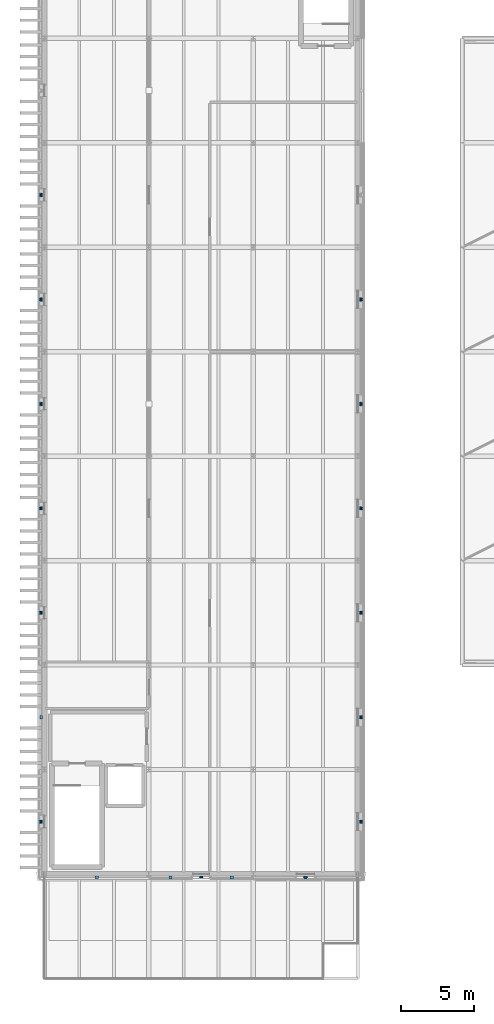
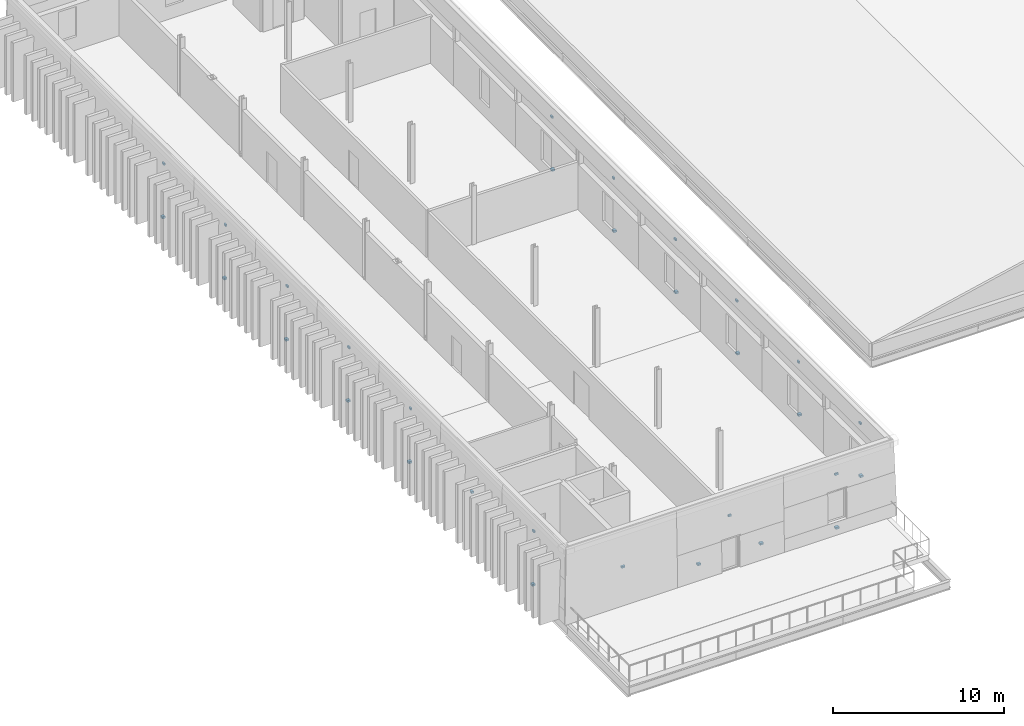
# One storey, part 35 of 44: 31 discrete accessories.
"""IFC4 building model written with IfcOpenShell, lengths in metres."""

from ifc_helpers import new_model, si_unit, direction, frame, origin, origin_2d, place, context, subcontext, project, spatial, rectangle, extrude, material, layer, layer_set, type_object, element, save


model = new_model("IFC4")

# Units and contexts
model_context = context("Model", 3, precision=1e-05, world=origin(), true_north=direction((0.0, 1.0)))
body_context = subcontext(model_context, "Body", "Model", "MODEL_VIEW")
ifc_project = project(units=[si_unit("LENGTHUNIT", "METRE"), si_unit("AREAUNIT", "SQUARE_METRE"), si_unit("VOLUMEUNIT", "CUBIC_METRE"), si_unit("PLANEANGLEUNIT", "RADIAN"), si_unit("MASSUNIT", "GRAM", prefix="KILO")], contexts=[model_context])

# Site, building, storey
site_placement = place(None, origin())
site = spatial("IfcSite", under=ifc_project, at=site_placement, CompositionType="ELEMENT")
building_placement = place(site_placement, origin())
building = spatial("IfcBuilding", under=site, at=building_placement, Name="Narikvali Park Central Library", CompositionType="ELEMENT")
storey_placement = place(building_placement, frame((0.0, 0.0, 22.800048828125)))
storey = spatial("IfcBuildingStorey", under=building, at=storey_placement, Name="L05", CompositionType="ELEMENT", Elevation=22.800048828125)

# Discrete accessories
ifc_material = material(Name="Brushed Stainless Steel S355", Category="steel")
ifc_layer = layer(ifc_material, 0.139892578125, Name="Brushed Stainless Steel S355")
ifc_layer_set = layer_set([ifc_layer], Name="Brushed Stainless Steel S355")
discrete_accessory_type = type_object("IfcDiscreteAccessoryType", Name="Cladding Stainless Tie-Back Corbel Bracket", PredefinedType="BRACKET", material=ifc_layer_set)
discrete_accessory_1_placement = place(storey_placement, frame((3.60009765625, 42.976806640625, 2.6298828125), z_axis=(0.0, 0.0, 1.0), x_axis=(1.0, 0.0, 0.0)))
element("IfcDiscreteAccessory", 1, at=discrete_accessory_1_placement, inside=storey, type_object=discrete_accessory_type, Name="Limestone Cladding Tie-Back Bracket V5-CLD-L05-S-B01-FULL", PredefinedType="BRACKET", context=body_context, shape_type="SweptSolid", body=[
    extrude(rectangle(XDim=0.219970703125, YDim=0.146484375, at=origin_2d()), origin(), (0.0, 0.0, 1.0), 0.139892578125),
])
for number, where, z_axis, x_axis, name in (
    (2, (8.695068359375, 42.954345703125, 1.0498046875), (0.0, 0.0, 1.0), (1.0, 0.0, 0.0), "Limestone Cladding Tie-Back Bracket V5-CLD-L05-S-B02-DL"),
    (3, (12.905029296875, 42.954345703125, 1.0498046875), (0.0, 0.0, 1.0), (1.0, 0.0, 0.0), "Limestone Cladding Tie-Back Bracket V5-CLD-L05-S-B02-DR"),
):
    element("IfcDiscreteAccessory", number, at=place(storey_placement, frame(where, z_axis=z_axis, x_axis=x_axis)), inside=storey, type_object=discrete_accessory_type, Name=name, PredefinedType="BRACKET", context=body_context, shape_type="SweptSolid", body=[
        extrude(rectangle(XDim=0.219970703125, YDim=0.19140625, at=origin_2d()), origin(), (0.0, 0.0, 1.0), 0.139892578125),
    ])
discrete_accessory_2_placement = place(storey_placement, frame((10.800048828125, 42.99267578125, 3.75), z_axis=(0.0, 0.0, 1.0), x_axis=(1.0, 0.0, 0.0)))
element("IfcDiscreteAccessory", 4, at=discrete_accessory_2_placement, inside=storey, type_object=discrete_accessory_type, Name="Limestone Cladding Tie-Back Bracket V5-CLD-L05-S-B02-DH", PredefinedType="BRACKET", context=body_context, shape_type="SweptSolid", body=[
    extrude(rectangle(XDim=0.219970703125, YDim=0.11474609375, at=origin_2d()), origin(), (0.0, 0.0, 1.0), 0.139892578125),
])
discrete_accessory_3_placement = place(storey_placement, frame((18.0, 42.9453125, 0.40478515625), z_axis=(0.0, 0.0, 1.0), x_axis=(1.0, 0.0, 0.0)))
element("IfcDiscreteAccessory", 5, at=discrete_accessory_3_placement, inside=storey, type_object=discrete_accessory_type, Name="Limestone Cladding Tie-Back Bracket V5-CLD-L05-S-B03-SP", PredefinedType="BRACKET", context=body_context, shape_type="SweptSolid", body=[
    extrude(rectangle(XDim=0.219970703125, YDim=0.209716796875, at=origin_2d()), origin(), (0.0, 0.0, 1.0), 0.139892578125),
])
discrete_accessory_4_placement = place(storey_placement, frame((18.0, 42.998779296875, 4.18017578125), z_axis=(0.0, 0.0, 1.0), x_axis=(1.0, 0.0, 0.0)))
element("IfcDiscreteAccessory", 6, at=discrete_accessory_4_placement, inside=storey, type_object=discrete_accessory_type, Name="Limestone Cladding Tie-Back Bracket V5-CLD-L05-S-B03-LN", PredefinedType="BRACKET", context=body_context, shape_type="SweptSolid", body=[
    extrude(rectangle(XDim=0.219970703125, YDim=0.1025390625, at=origin_2d()), origin(), (0.0, 0.0, 1.0), 0.139892578125),
])
discrete_accessory_5_placement = place(storey_placement, frame((21.85498046875, 46.800048828125, 0.40478515625), z_axis=(0.0, 0.0, 1.0), x_axis=(1.0, 0.0, 0.0)))
element("IfcDiscreteAccessory", 7, at=discrete_accessory_5_placement, inside=storey, type_object=discrete_accessory_type, Name="Limestone Cladding Tie-Back Bracket V5-CLD-L05-E-B01-SP", PredefinedType="BRACKET", context=body_context, shape_type="SweptSolid", body=[
    extrude(rectangle(XDim=0.209716796875, YDim=0.219970703125, at=origin_2d()), origin(), (0.0, 0.0, 1.0), 0.139892578125),
])
discrete_accessory_6_placement = place(storey_placement, frame((21.80126953125, 46.800048828125, 4.18017578125), z_axis=(0.0, 0.0, 1.0), x_axis=(1.0, 0.0, 0.0)))
element("IfcDiscreteAccessory", 8, at=discrete_accessory_6_placement, inside=storey, type_object=discrete_accessory_type, Name="Limestone Cladding Tie-Back Bracket V5-CLD-L05-E-B01-LN", PredefinedType="BRACKET", context=body_context, shape_type="SweptSolid", body=[
    extrude(rectangle(XDim=0.1025390625, YDim=0.219970703125, at=origin_2d()), origin(), (0.0, 0.0, 1.0), 0.139892578125),
])
discrete_accessory_7_placement = place(storey_placement, frame((21.85498046875, 54.0, 0.40478515625), z_axis=(0.0, 0.0, 1.0), x_axis=(1.0, 0.0, 0.0)))
element("IfcDiscreteAccessory", 9, at=discrete_accessory_7_placement, inside=storey, type_object=discrete_accessory_type, Name="Limestone Cladding Tie-Back Bracket V5-CLD-L05-E-B02-SP", PredefinedType="BRACKET", context=body_context, shape_type="SweptSolid", body=[
    extrude(rectangle(XDim=0.209716796875, YDim=0.219970703125, at=origin_2d()), origin(), (0.0, 0.0, 1.0), 0.139892578125),
])
discrete_accessory_8_placement = place(storey_placement, frame((21.80126953125, 54.0, 4.18017578125), z_axis=(0.0, 0.0, 1.0), x_axis=(1.0, 0.0, 0.0)))
element("IfcDiscreteAccessory", 10, at=discrete_accessory_8_placement, inside=storey, type_object=discrete_accessory_type, Name="Limestone Cladding Tie-Back Bracket V5-CLD-L05-E-B02-LN", PredefinedType="BRACKET", context=body_context, shape_type="SweptSolid", body=[
    extrude(rectangle(XDim=0.1025390625, YDim=0.219970703125, at=origin_2d()), origin(), (0.0, 0.0, 1.0), 0.139892578125),
])
discrete_accessory_9_placement = place(storey_placement, frame((21.85498046875, 61.199951171875, 0.40478515625), z_axis=(0.0, 0.0, 1.0), x_axis=(1.0, 0.0, 0.0)))
element("IfcDiscreteAccessory", 11, at=discrete_accessory_9_placement, inside=storey, type_object=discrete_accessory_type, Name="Limestone Cladding Tie-Back Bracket V5-CLD-L05-E-B03-SP", PredefinedType="BRACKET", context=body_context, shape_type="SweptSolid", body=[
    extrude(rectangle(XDim=0.209716796875, YDim=0.219970703125, at=origin_2d()), origin(), (0.0, 0.0, 1.0), 0.139892578125),
])
discrete_accessory_10_placement = place(storey_placement, frame((21.80126953125, 61.199951171875, 4.18017578125), z_axis=(0.0, 0.0, 1.0), x_axis=(1.0, 0.0, 0.0)))
element("IfcDiscreteAccessory", 12, at=discrete_accessory_10_placement, inside=storey, type_object=discrete_accessory_type, Name="Limestone Cladding Tie-Back Bracket V5-CLD-L05-E-B03-LN", PredefinedType="BRACKET", context=body_context, shape_type="SweptSolid", body=[
    extrude(rectangle(XDim=0.1025390625, YDim=0.219970703125, at=origin_2d()), origin(), (0.0, 0.0, 1.0), 0.139892578125),
])
discrete_accessory_11_placement = place(storey_placement, frame((21.85498046875, 68.39990234375, 0.40478515625), z_axis=(0.0, 0.0, 1.0), x_axis=(1.0, 0.0, 0.0)))
element("IfcDiscreteAccessory", 13, at=discrete_accessory_11_placement, inside=storey, type_object=discrete_accessory_type, Name="Limestone Cladding Tie-Back Bracket V5-CLD-L05-E-B04-SP", PredefinedType="BRACKET", context=body_context, shape_type="SweptSolid", body=[
    extrude(rectangle(XDim=0.209716796875, YDim=0.219970703125, at=origin_2d()), origin(), (0.0, 0.0, 1.0), 0.139892578125),
])
discrete_accessory_12_placement = place(storey_placement, frame((21.80126953125, 68.39990234375, 4.18017578125), z_axis=(0.0, 0.0, 1.0), x_axis=(1.0, 0.0, 0.0)))
element("IfcDiscreteAccessory", 14, at=discrete_accessory_12_placement, inside=storey, type_object=discrete_accessory_type, Name="Limestone Cladding Tie-Back Bracket V5-CLD-L05-E-B04-LN", PredefinedType="BRACKET", context=body_context, shape_type="SweptSolid", body=[
    extrude(rectangle(XDim=0.1025390625, YDim=0.219970703125, at=origin_2d()), origin(), (0.0, 0.0, 1.0), 0.139892578125),
])
discrete_accessory_13_placement = place(storey_placement, frame((21.85498046875, 75.60009765625, 0.40478515625), z_axis=(0.0, 0.0, 1.0), x_axis=(1.0, 0.0, 0.0)))
element("IfcDiscreteAccessory", 15, at=discrete_accessory_13_placement, inside=storey, type_object=discrete_accessory_type, Name="Limestone Cladding Tie-Back Bracket V5-CLD-L05-E-B05-SP", PredefinedType="BRACKET", context=body_context, shape_type="SweptSolid", body=[
    extrude(rectangle(XDim=0.209716796875, YDim=0.219970703125, at=origin_2d()), origin(), (0.0, 0.0, 1.0), 0.139892578125),
])
discrete_accessory_14_placement = place(storey_placement, frame((21.80126953125, 75.60009765625, 4.18017578125), z_axis=(0.0, 0.0, 1.0), x_axis=(1.0, 0.0, 0.0)))
element("IfcDiscreteAccessory", 16, at=discrete_accessory_14_placement, inside=storey, type_object=discrete_accessory_type, Name="Limestone Cladding Tie-Back Bracket V5-CLD-L05-E-B05-LN", PredefinedType="BRACKET", context=body_context, shape_type="SweptSolid", body=[
    extrude(rectangle(XDim=0.1025390625, YDim=0.219970703125, at=origin_2d()), origin(), (0.0, 0.0, 1.0), 0.139892578125),
])
discrete_accessory_15_placement = place(storey_placement, frame((21.85498046875, 82.800048828125, 0.40478515625), z_axis=(0.0, 0.0, 1.0), x_axis=(1.0, 0.0, 0.0)))
element("IfcDiscreteAccessory", 17, at=discrete_accessory_15_placement, inside=storey, type_object=discrete_accessory_type, Name="Limestone Cladding Tie-Back Bracket V5-CLD-L05-E-B06-SP", PredefinedType="BRACKET", context=body_context, shape_type="SweptSolid", body=[
    extrude(rectangle(XDim=0.209716796875, YDim=0.219970703125, at=origin_2d()), origin(), (0.0, 0.0, 1.0), 0.139892578125),
])
discrete_accessory_16_placement = place(storey_placement, frame((21.80126953125, 82.800048828125, 4.18017578125), z_axis=(0.0, 0.0, 1.0), x_axis=(1.0, 0.0, 0.0)))
element("IfcDiscreteAccessory", 18, at=discrete_accessory_16_placement, inside=storey, type_object=discrete_accessory_type, Name="Limestone Cladding Tie-Back Bracket V5-CLD-L05-E-B06-LN", PredefinedType="BRACKET", context=body_context, shape_type="SweptSolid", body=[
    extrude(rectangle(XDim=0.1025390625, YDim=0.219970703125, at=origin_2d()), origin(), (0.0, 0.0, 1.0), 0.139892578125),
])
discrete_accessory_17_placement = place(storey_placement, frame((-0.2548828125, 90.0, 0.40478515625), z_axis=(0.0, 0.0, 1.0), x_axis=(1.0, 0.0, 0.0)))
element("IfcDiscreteAccessory", 19, at=discrete_accessory_17_placement, inside=storey, type_object=discrete_accessory_type, Name="Limestone Cladding Tie-Back Bracket V5-CLD-L05-W-B03-SP", PredefinedType="BRACKET", context=body_context, shape_type="SweptSolid", body=[
    extrude(rectangle(XDim=0.209716796875, YDim=0.219970703125, at=origin_2d()), origin(), (0.0, 0.0, 1.0), 0.139892578125),
])
discrete_accessory_18_placement = place(storey_placement, frame((-0.201416015625, 90.0, 4.18017578125), z_axis=(0.0, 0.0, 1.0), x_axis=(1.0, 0.0, 0.0)))
element("IfcDiscreteAccessory", 20, at=discrete_accessory_18_placement, inside=storey, type_object=discrete_accessory_type, Name="Limestone Cladding Tie-Back Bracket V5-CLD-L05-W-B03-LN", PredefinedType="BRACKET", context=body_context, shape_type="SweptSolid", body=[
    extrude(rectangle(XDim=0.1025390625, YDim=0.219970703125, at=origin_2d()), origin(), (0.0, 0.0, 1.0), 0.139892578125),
])
discrete_accessory_19_placement = place(storey_placement, frame((-0.2548828125, 82.800048828125, 0.40478515625), z_axis=(0.0, 0.0, 1.0), x_axis=(1.0, 0.0, 0.0)))
element("IfcDiscreteAccessory", 21, at=discrete_accessory_19_placement, inside=storey, type_object=discrete_accessory_type, Name="Limestone Cladding Tie-Back Bracket V5-CLD-L05-W-B04-SP", PredefinedType="BRACKET", context=body_context, shape_type="SweptSolid", body=[
    extrude(rectangle(XDim=0.209716796875, YDim=0.219970703125, at=origin_2d()), origin(), (0.0, 0.0, 1.0), 0.139892578125),
])
discrete_accessory_20_placement = place(storey_placement, frame((-0.201416015625, 82.800048828125, 4.18017578125), z_axis=(0.0, 0.0, 1.0), x_axis=(1.0, 0.0, 0.0)))
element("IfcDiscreteAccessory", 22, at=discrete_accessory_20_placement, inside=storey, type_object=discrete_accessory_type, Name="Limestone Cladding Tie-Back Bracket V5-CLD-L05-W-B04-LN", PredefinedType="BRACKET", context=body_context, shape_type="SweptSolid", body=[
    extrude(rectangle(XDim=0.1025390625, YDim=0.219970703125, at=origin_2d()), origin(), (0.0, 0.0, 1.0), 0.139892578125),
])
discrete_accessory_21_placement = place(storey_placement, frame((-0.2548828125, 75.60009765625, 0.40478515625), z_axis=(0.0, 0.0, 1.0), x_axis=(1.0, 0.0, 0.0)))
element("IfcDiscreteAccessory", 23, at=discrete_accessory_21_placement, inside=storey, type_object=discrete_accessory_type, Name="Limestone Cladding Tie-Back Bracket V5-CLD-L05-W-B05-SP", PredefinedType="BRACKET", context=body_context, shape_type="SweptSolid", body=[
    extrude(rectangle(XDim=0.209716796875, YDim=0.219970703125, at=origin_2d()), origin(), (0.0, 0.0, 1.0), 0.139892578125),
])
discrete_accessory_22_placement = place(storey_placement, frame((-0.201416015625, 75.60009765625, 4.18017578125), z_axis=(0.0, 0.0, 1.0), x_axis=(1.0, 0.0, 0.0)))
element("IfcDiscreteAccessory", 24, at=discrete_accessory_22_placement, inside=storey, type_object=discrete_accessory_type, Name="Limestone Cladding Tie-Back Bracket V5-CLD-L05-W-B05-LN", PredefinedType="BRACKET", context=body_context, shape_type="SweptSolid", body=[
    extrude(rectangle(XDim=0.1025390625, YDim=0.219970703125, at=origin_2d()), origin(), (0.0, 0.0, 1.0), 0.139892578125),
])
discrete_accessory_23_placement = place(storey_placement, frame((-0.2548828125, 68.39990234375, 0.40478515625), z_axis=(0.0, 0.0, 1.0), x_axis=(1.0, 0.0, 0.0)))
element("IfcDiscreteAccessory", 25, at=discrete_accessory_23_placement, inside=storey, type_object=discrete_accessory_type, Name="Limestone Cladding Tie-Back Bracket V5-CLD-L05-W-B06-SP", PredefinedType="BRACKET", context=body_context, shape_type="SweptSolid", body=[
    extrude(rectangle(XDim=0.209716796875, YDim=0.219970703125, at=origin_2d()), origin(), (0.0, 0.0, 1.0), 0.139892578125),
])
discrete_accessory_24_placement = place(storey_placement, frame((-0.201416015625, 68.39990234375, 4.18017578125), z_axis=(0.0, 0.0, 1.0), x_axis=(1.0, 0.0, 0.0)))
element("IfcDiscreteAccessory", 26, at=discrete_accessory_24_placement, inside=storey, type_object=discrete_accessory_type, Name="Limestone Cladding Tie-Back Bracket V5-CLD-L05-W-B06-LN", PredefinedType="BRACKET", context=body_context, shape_type="SweptSolid", body=[
    extrude(rectangle(XDim=0.1025390625, YDim=0.219970703125, at=origin_2d()), origin(), (0.0, 0.0, 1.0), 0.139892578125),
])
discrete_accessory_25_placement = place(storey_placement, frame((-0.2548828125, 61.199951171875, 0.40478515625), z_axis=(0.0, 0.0, 1.0), x_axis=(1.0, 0.0, 0.0)))
element("IfcDiscreteAccessory", 27, at=discrete_accessory_25_placement, inside=storey, type_object=discrete_accessory_type, Name="Limestone Cladding Tie-Back Bracket V5-CLD-L05-W-B07-SP", PredefinedType="BRACKET", context=body_context, shape_type="SweptSolid", body=[
    extrude(rectangle(XDim=0.209716796875, YDim=0.219970703125, at=origin_2d()), origin(), (0.0, 0.0, 1.0), 0.139892578125),
])
discrete_accessory_26_placement = place(storey_placement, frame((-0.201416015625, 61.199951171875, 4.18017578125), z_axis=(0.0, 0.0, 1.0), x_axis=(1.0, 0.0, 0.0)))
element("IfcDiscreteAccessory", 28, at=discrete_accessory_26_placement, inside=storey, type_object=discrete_accessory_type, Name="Limestone Cladding Tie-Back Bracket V5-CLD-L05-W-B07-LN", PredefinedType="BRACKET", context=body_context, shape_type="SweptSolid", body=[
    extrude(rectangle(XDim=0.1025390625, YDim=0.219970703125, at=origin_2d()), origin(), (0.0, 0.0, 1.0), 0.139892578125),
])
discrete_accessory_27_placement = place(storey_placement, frame((-0.223388671875, 54.0, 2.6298828125), z_axis=(0.0, 0.0, 1.0), x_axis=(1.0, 0.0, 0.0)))
element("IfcDiscreteAccessory", 29, at=discrete_accessory_27_placement, inside=storey, type_object=discrete_accessory_type, Name="Limestone Cladding Tie-Back Bracket V5-CLD-L05-W-B08-FULL", PredefinedType="BRACKET", context=body_context, shape_type="SweptSolid", body=[
    extrude(rectangle(XDim=0.146484375, YDim=0.219970703125, at=origin_2d()), origin(), (0.0, 0.0, 1.0), 0.139892578125),
])
discrete_accessory_28_placement = place(storey_placement, frame((-0.2548828125, 46.800048828125, 0.40478515625), z_axis=(0.0, 0.0, 1.0), x_axis=(1.0, 0.0, 0.0)))
element("IfcDiscreteAccessory", 30, at=discrete_accessory_28_placement, inside=storey, type_object=discrete_accessory_type, Name="Limestone Cladding Tie-Back Bracket V5-CLD-L05-W-B09-SP", PredefinedType="BRACKET", context=body_context, shape_type="SweptSolid", body=[
    extrude(rectangle(XDim=0.209716796875, YDim=0.219970703125, at=origin_2d()), origin(), (0.0, 0.0, 1.0), 0.139892578125),
])
discrete_accessory_29_placement = place(storey_placement, frame((-0.201416015625, 46.800048828125, 4.18017578125), z_axis=(0.0, 0.0, 1.0), x_axis=(1.0, 0.0, 0.0)))
element("IfcDiscreteAccessory", 31, at=discrete_accessory_29_placement, inside=storey, type_object=discrete_accessory_type, Name="Limestone Cladding Tie-Back Bracket V5-CLD-L05-W-B09-LN", PredefinedType="BRACKET", context=body_context, shape_type="SweptSolid", body=[
    extrude(rectangle(XDim=0.1025390625, YDim=0.219970703125, at=origin_2d()), origin(), (0.0, 0.0, 1.0), 0.139892578125),
])

save(model, "model.ifc")
